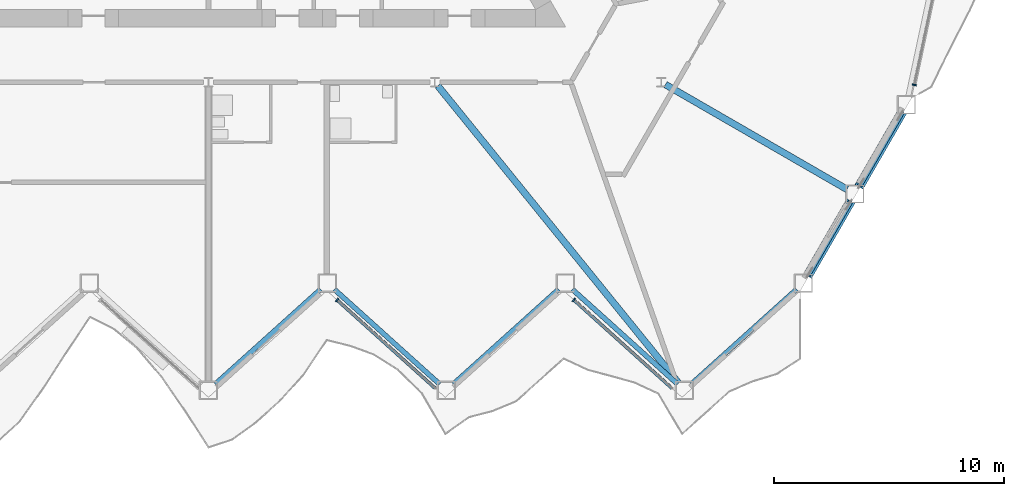
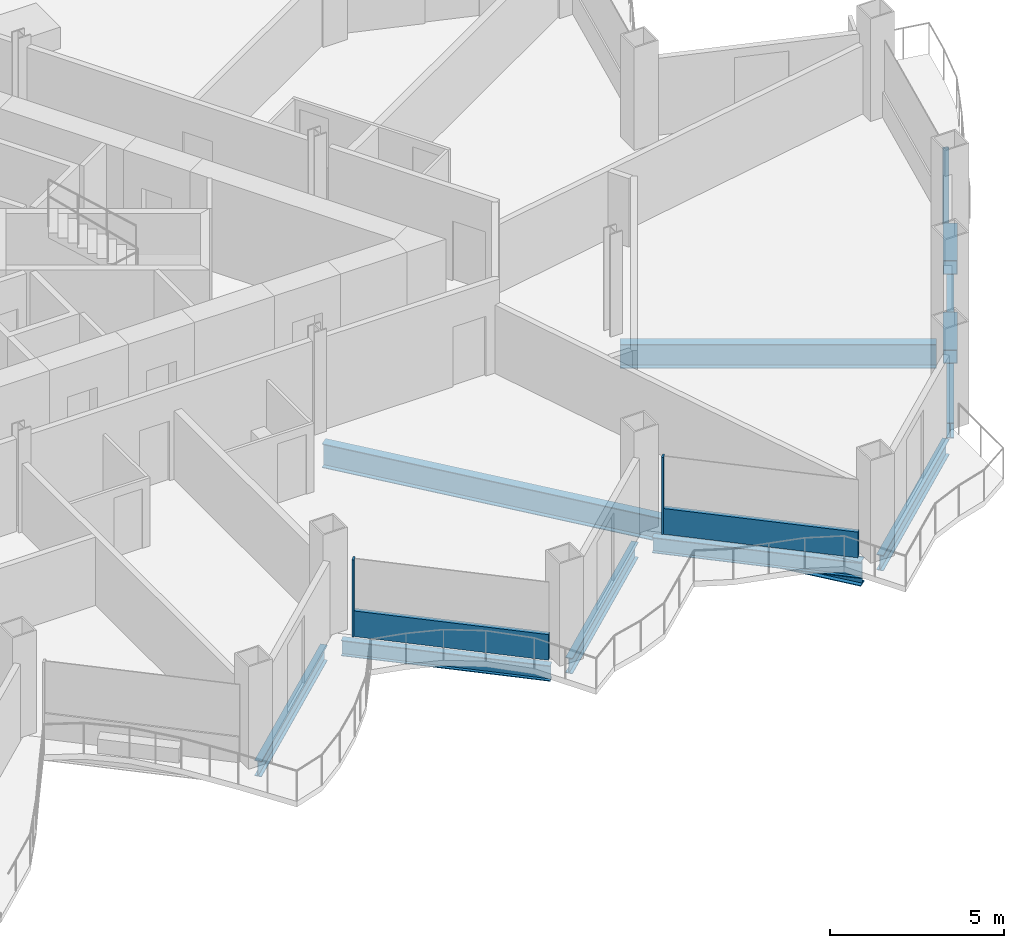
# One storey, part 5 of 22: 9 beams, 7 members, 3 elements without a shape of their own.
"""IFC4 building model written with IfcOpenShell, lengths in metres."""

from ifc_helpers import new_model, si_unit, direction, frame, origin, origin_2d, place, context, subcontext, project, spatial, rectangle, hollow_rectangle, i_section, extrude, material, layer, layer_set, material_profile, profile_set, type_object, element, aggregate, save


model = new_model("IFC4")

# Units and contexts
model_context = context("Model", 3, precision=1e-05, world=origin(), true_north=direction((0.0, 1.0)))
body_context = subcontext(model_context, "Body", "Model", "MODEL_VIEW")
ifc_project = project(units=[si_unit("LENGTHUNIT", "METRE"), si_unit("AREAUNIT", "SQUARE_METRE"), si_unit("VOLUMEUNIT", "CUBIC_METRE"), si_unit("PLANEANGLEUNIT", "RADIAN"), si_unit("MASSUNIT", "GRAM", prefix="KILO")], contexts=[model_context])

# Site, building, storey
site_placement = place(None, origin())
site = spatial("IfcSite", under=ifc_project, at=site_placement, CompositionType="ELEMENT")
building_placement = place(site_placement, origin())
building = spatial("IfcBuilding", under=site, at=building_placement, Name="Cormorant Prow Tower", CompositionType="ELEMENT")
storey_placement = place(building_placement, frame((0.0, 0.0, 194.39990234375)))
storey = spatial("IfcBuildingStorey", under=building, at=storey_placement, Name="L42", CompositionType="ELEMENT", Elevation=194.39990234375)

# Members
ifc_material_1 = material(Name="Structural steel ASTM A500 Gr C", Category="steel")
ifc_material_profile_1 = material_profile(ifc_material_1, hollow_rectangle(XDim=0.406494140625, YDim=0.406494140625, WallThickness=0.01171875, at=origin_2d()), Name="HSS16x16x1/2")
ifc_profile_set_1 = profile_set([ifc_material_profile_1], Name="Structural steel ASTM A500 Gr C")
member_type_1 = type_object("IfcMemberType", Name="Chamfer brace HSS16x16x1/2", PredefinedType="BRACE", material=ifc_profile_set_1)
member_1_placement = place(storey_placement, frame((27.850341796875, -16.56103515625, 0.740234375), z_axis=(-0.474017648602, -0.820985582338, 0.318260808783), x_axis=(0.866015628144, -0.500016931523, 0.0)))
element("IfcMember", 1, at=member_1_placement, inside=storey, type_object=member_type_1, Name="Chamfer brace BR2 at ESE00 L42", PredefinedType="BRACE", context=body_context, shape_type="SweptSolid", body=[
    extrude(hollow_rectangle(XDim=0.406494140625, YDim=0.406494140625, WallThickness=0.01171875, at=origin_2d()), origin(), (0.0, 0.0, 1.0), 3.83544921875),
])
member_2_placement = place(storey_placement, frame((30.08544921875, -12.689453125, 0.740234375), z_axis=(-0.473992878603, -0.821006330213, 0.318244177926), x_axis=(0.866032413668, -0.499987858329, 0.0)))
element("IfcMember", 2, at=member_2_placement, inside=storey, type_object=member_type_1, Name="Chamfer brace BR2 at ESE01 L42", PredefinedType="BRACE", context=body_context, shape_type="SweptSolid", body=[
    extrude(hollow_rectangle(XDim=0.406494140625, YDim=0.406494140625, WallThickness=0.01171875, at=origin_2d()), origin(), (0.0, 0.0, 1.0), 3.835693359375),
])

# Curtain wall, member
ifc_material_2 = material(Name="Aluminium 6063-T6", Category="aluminium")
ifc_layer = layer(ifc_material_2, 0.179931640625)
ifc_layer_set = layer_set([ifc_layer], Name="Aluminium 6063-T6")
curtain_wall_type = type_object("IfcCurtainWallType", Name="Hotel unitised curtain wall 180", PredefinedType="NOTDEFINED", material=ifc_layer_set)
curtain_wall_1_placement = place(storey_placement, origin())
curtain_wall_1 = element("IfcCurtainWall", 3, at=curtain_wall_1_placement, inside=storey, type_object=curtain_wall_type, Name="Hotel curtain wall S06", PredefinedType="NOTDEFINED")
ifc_material_3 = material(Name="Aluminium 6063-T6", Category="aluminium")
ifc_material_profile_2 = material_profile(ifc_material_3, rectangle(XDim=0.179931640625, YDim=0.06005859375, at=origin_2d()), Name="Hotel mullion 60x180")
ifc_profile_set_2 = profile_set([ifc_material_profile_2], Name="Aluminium 6063-T6")
member_type_2 = type_object("IfcMemberType", Name="Hotel mullion 60x180", PredefinedType="MULLION", material=ifc_profile_set_2)
member_3_placement = place(storey_placement, frame((5.5830078125, -20.799072265625, 0.0), z_axis=(0.0, 0.0, 1.0), x_axis=(0.66913059916, 0.743144831959, 0.0)))
member_3 = element("IfcMember", 4, at=member_3_placement, type_object=member_type_2, Name="Hotel mullion S06", PredefinedType="MULLION", context=body_context, shape_type="SweptSolid", body=[
    extrude(rectangle(XDim=0.179931640625, YDim=0.06005859375, at=origin_2d()), origin(), (0.0, 0.0, 1.0), 2.700927734375),
])

curtain_wall_2_placement = place(storey_placement, origin())
curtain_wall_2 = element("IfcCurtainWall", 5, at=curtain_wall_2_placement, inside=storey, type_object=curtain_wall_type, Name="Hotel curtain wall S08", PredefinedType="NOTDEFINED")
member_4_placement = place(storey_placement, frame((15.85986328125, -20.799072265625, 0.0), z_axis=(0.0, 0.0, 1.0), x_axis=(0.66913059916, 0.743144831959, 0.0)))
member_4 = element("IfcMember", 6, at=member_4_placement, type_object=member_type_2, Name="Hotel mullion S08", PredefinedType="MULLION", context=body_context, shape_type="SweptSolid", body=[
    extrude(rectangle(XDim=0.179931640625, YDim=0.06005859375, at=origin_2d()), origin(), (0.0, 0.0, 1.0), 2.700927734375),
])

curtain_wall_3_placement = place(storey_placement, origin())
curtain_wall_3 = element("IfcCurtainWall", 7, at=curtain_wall_3_placement, inside=storey, type_object=curtain_wall_type, Name="Hotel curtain wall ENE00", PredefinedType="NOTDEFINED")
member_5_placement = place(storey_placement, frame((30.63671875, -11.466064453125, 0.0), z_axis=(0.0, 0.0, 1.0), x_axis=(-0.978147607432, 0.207911659303, 0.0)))
member_5 = element("IfcMember", 8, at=member_5_placement, type_object=member_type_2, Name="Hotel mullion ENE00", PredefinedType="MULLION", context=body_context, shape_type="SweptSolid", body=[
    extrude(rectangle(XDim=0.179931640625, YDim=0.06005859375, at=origin_2d()), origin(), (0.0, 0.0, 1.0), 2.700927734375),
])
aggregate(curtain_wall_3, [member_5])

# Member
ifc_material_4 = material(Name="Terracotta", Category="masonry")
ifc_material_profile_3 = material_profile(ifc_material_4, rectangle(XDim=0.139892578125, YDim=0.89990234375, at=origin_2d()), Name="Hotel terracotta spandrel rail 140x900")
ifc_profile_set_3 = profile_set([ifc_material_profile_3], Name="Terracotta")
member_type_3 = type_object("IfcMemberType", Name="Hotel terracotta spandrel rail 140x900", PredefinedType="USERDEFINED", material=ifc_profile_set_3)
member_6_placement = place(storey_placement, frame((5.605224609375, -20.819091796875, 0.4501953125), z_axis=(0.743130669923, -0.669146327361, 0.0), x_axis=(0.669146327361, 0.743130669923, 0.0)))
member_6 = element("IfcMember", 9, at=member_6_placement, type_object=member_type_3, Name="Hotel spandrel rail S06", ObjectType="TRANSOM", PredefinedType="USERDEFINED", context=body_context, shape_type="SweptSolid", body=[
    extrude(rectangle(XDim=0.139892578125, YDim=0.89990234375, at=origin_2d()), origin(), (0.0, 0.0, 1.0), 5.71875),
])

aggregate(curtain_wall_1, [member_3, member_6])

member_7_placement = place(storey_placement, frame((15.88232421875, -20.819091796875, 0.4501953125), z_axis=(0.743130669923, -0.669146327361, 0.0), x_axis=(0.669146327361, 0.743130669923, 0.0)))
member_7 = element("IfcMember", 10, at=member_7_placement, type_object=member_type_3, Name="Hotel spandrel rail S08", ObjectType="TRANSOM", PredefinedType="USERDEFINED", context=body_context, shape_type="SweptSolid", body=[
    extrude(rectangle(XDim=0.139892578125, YDim=0.89990234375, at=origin_2d()), origin(), (0.0, 0.0, 1.0), 5.71875),
])

aggregate(curtain_wall_2, [member_4, member_7])

# Beams
ifc_material_5 = material(Name="Structural steel ASTM A992 Gr 50", Category="steel")
ifc_material_profile_4 = material_profile(ifc_material_5, i_section(OverallWidth=0.29296875, OverallDepth=0.845703125, WebThickness=0.015380859375, FlangeThickness=0.0244140625, at=origin_2d()), Name="W33x141")
ifc_profile_set_4 = profile_set([ifc_material_profile_4], Name="Structural steel ASTM A992 Gr 50")
beam_type_1 = type_object("IfcBeamType", Name="Radial floor beam W33x141", PredefinedType="BEAM", material=ifc_profile_set_4)
beam_1_placement = place(storey_placement, frame((9.95654296875, -11.50732421875, -0.772705078125), z_axis=(0.629385162657, -0.777093505974, 0.0), x_axis=(0.777093505974, 0.629385162657, 0.0)))
element("IfcBeam", 11, at=beam_1_placement, inside=storey, type_object=beam_type_1, Name="Radial floor beam FB2 8 L42", PredefinedType="BEAM", context=body_context, shape_type="SweptSolid", body=[
    extrude(i_section(OverallWidth=0.29296875, OverallDepth=0.845703125, WebThickness=0.015380859375, FlangeThickness=0.0244140625, at=origin_2d()), origin(), (0.0, 0.0, 1.0), 16.6044921875),
])
beam_2_placement = place(storey_placement, frame((19.833251953125, -11.45068359375, -0.772705078125), z_axis=(0.866023373109, -0.500003517217, 0.0), x_axis=(0.500003517217, 0.866023373109, 0.0)))
element("IfcBeam", 12, at=beam_2_placement, inside=storey, type_object=beam_type_1, Name="Radial floor beam FB2 9 L42", PredefinedType="BEAM", context=body_context, shape_type="SweptSolid", body=[
    extrude(i_section(OverallWidth=0.29296875, OverallDepth=0.845703125, WebThickness=0.015380859375, FlangeThickness=0.0244140625, at=origin_2d()), origin(), (0.0, 0.0, 1.0), 9.09814453125),
])
ifc_material_6 = material(Name="Structural steel ASTM A992 Gr 50", Category="steel")
ifc_material_profile_5 = material_profile(ifc_material_6, i_section(OverallWidth=0.2138671875, OverallDepth=0.549072265625, WebThickness=0.0146484375, FlangeThickness=0.023681640625, at=origin_2d()), Name="W21x93")
ifc_profile_set_5 = profile_set([ifc_material_profile_5], Name="Structural steel ASTM A992 Gr 50")
beam_type_2 = type_object("IfcBeamType", Name="Spandrel beam W21x93", PredefinedType="SPANDREL", material=ifc_profile_set_5)
beam_3_placement = place(storey_placement, frame((0.29736328125, -24.453857421875, -0.62451171875), z_axis=(0.743138178716, 0.669137988261, 0.0), x_axis=(-0.669137988261, 0.743138178716, 0.0)))
element("IfcBeam", 13, at=beam_3_placement, inside=storey, type_object=beam_type_2, Name="Spandrel beam SB2 S05-S06 L42", PredefinedType="SPANDREL", context=body_context, shape_type="SweptSolid", body=[
    extrude(i_section(OverallWidth=0.2138671875, OverallDepth=0.549072265625, WebThickness=0.0146484375, FlangeThickness=0.023681640625, at=origin_2d()), origin(), (0.0, 0.0, 1.0), 6.149658203125),
])
beam_4_placement = place(storey_placement, frame((5.4619140625, -20.3388671875, -0.62451171875), z_axis=(0.743155953285, -0.669118247469, 0.0), x_axis=(0.669118247469, 0.743155953285, 0.0)))
element("IfcBeam", 14, at=beam_4_placement, inside=storey, type_object=beam_type_2, Name="Spandrel beam SB2 S06-S07 L42", PredefinedType="SPANDREL", context=body_context, shape_type="SweptSolid", body=[
    extrude(i_section(OverallWidth=0.2138671875, OverallDepth=0.549072265625, WebThickness=0.0146484375, FlangeThickness=0.023681640625, at=origin_2d()), origin(), (0.0, 0.0, 1.0), 6.14990234375),
])
for number, where, z_axis, x_axis, name in (
    (15, (10.626708984375, -24.453857421875, -0.62451171875), (0.743138178716, 0.669137988261, 0.0), (-0.669137988261, 0.743138178716, 0.0), "Spandrel beam SB2 S07-S08 L42"),
    (16, (15.79150390625, -20.3388671875, -0.62451171875), (0.743138178716, -0.669137988261, 0.0), (0.669137988261, 0.743138178716, 0.0), "Spandrel beam SB2 S08-S09 L42"),
):
    element("IfcBeam", number, at=place(storey_placement, frame(where, z_axis=z_axis, x_axis=x_axis)), inside=storey, type_object=beam_type_2, Name=name, PredefinedType="SPANDREL", context=body_context, shape_type="SweptSolid", body=[
        extrude(i_section(OverallWidth=0.2138671875, OverallDepth=0.549072265625, WebThickness=0.0146484375, FlangeThickness=0.023681640625, at=origin_2d()), origin(), (0.0, 0.0, 1.0), 6.149658203125),
    ])
beam_5_placement = place(storey_placement, frame((20.9560546875, -24.453857421875, -0.62451171875), z_axis=(0.743155953285, 0.669118247469, 0.0), x_axis=(-0.669118247469, 0.743155953285, 0.0)))
element("IfcBeam", 17, at=beam_5_placement, inside=storey, type_object=beam_type_2, Name="Spandrel beam SB2 S09-ESE00 L42", PredefinedType="SPANDREL", context=body_context, shape_type="SweptSolid", body=[
    extrude(i_section(OverallWidth=0.2138671875, OverallDepth=0.549072265625, WebThickness=0.0146484375, FlangeThickness=0.023681640625, at=origin_2d()), origin(), (0.0, 0.0, 1.0), 6.14990234375),
])
for number, where, z_axis, x_axis, name in (
    (18, (26.023681640625, -19.724853515625, -0.62451171875), (0.499994986164, 0.866028298505, 0.0), (-0.866028298505, 0.499994986164, 0.0), "Spandrel beam SB2 ESE00-ESE01 L42"),
    (19, (28.2587890625, -15.853271484375, -0.62451171875), (0.499994986164, 0.866028298505, 0.0), (-0.866028298505, 0.499994986164, 0.0), "Spandrel beam SB2 ESE01-ENE00 L42"),
):
    element("IfcBeam", number, at=place(storey_placement, frame(where, z_axis=z_axis, x_axis=x_axis)), inside=storey, type_object=beam_type_2, Name=name, PredefinedType="SPANDREL", context=body_context, shape_type="SweptSolid", body=[
        extrude(i_section(OverallWidth=0.2138671875, OverallDepth=0.549072265625, WebThickness=0.0146484375, FlangeThickness=0.023681640625, at=origin_2d()), origin(), (0.0, 0.0, 1.0), 3.67041015625),
    ])

save(model, "model.ifc")
